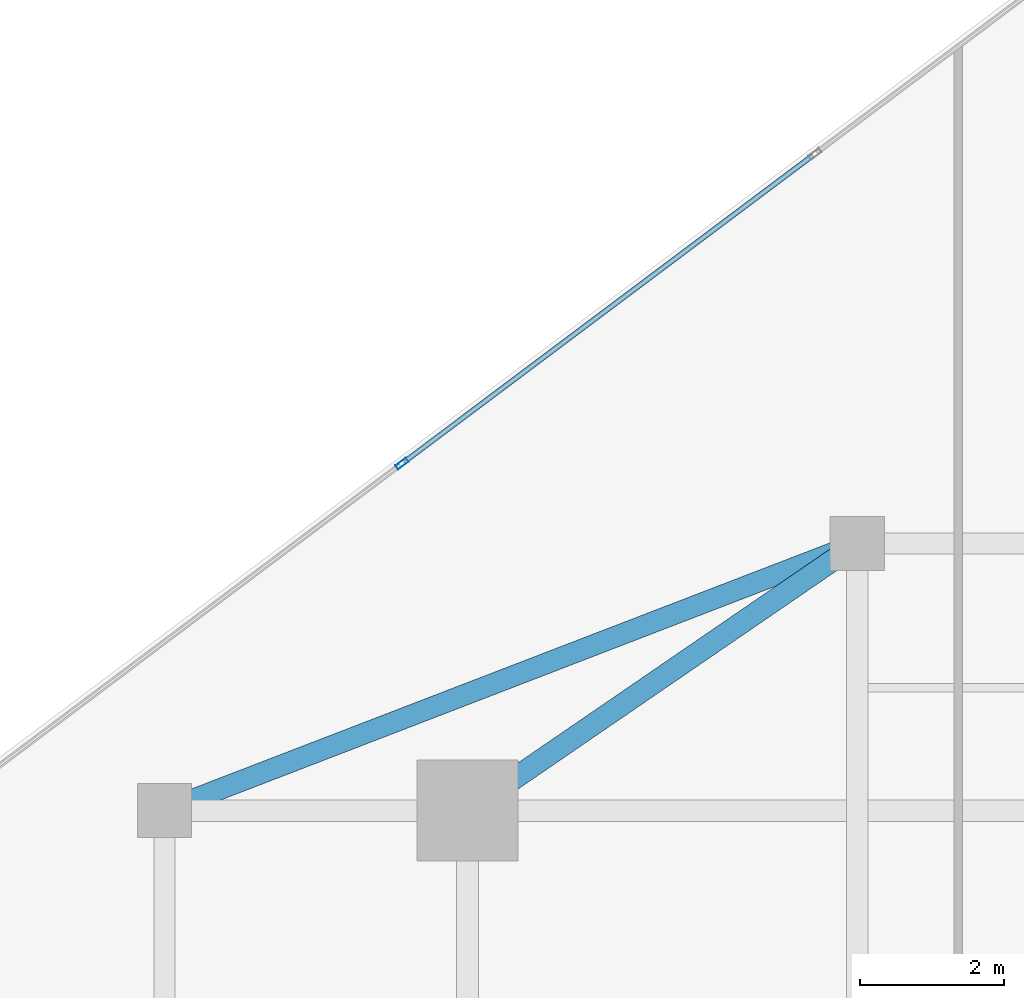
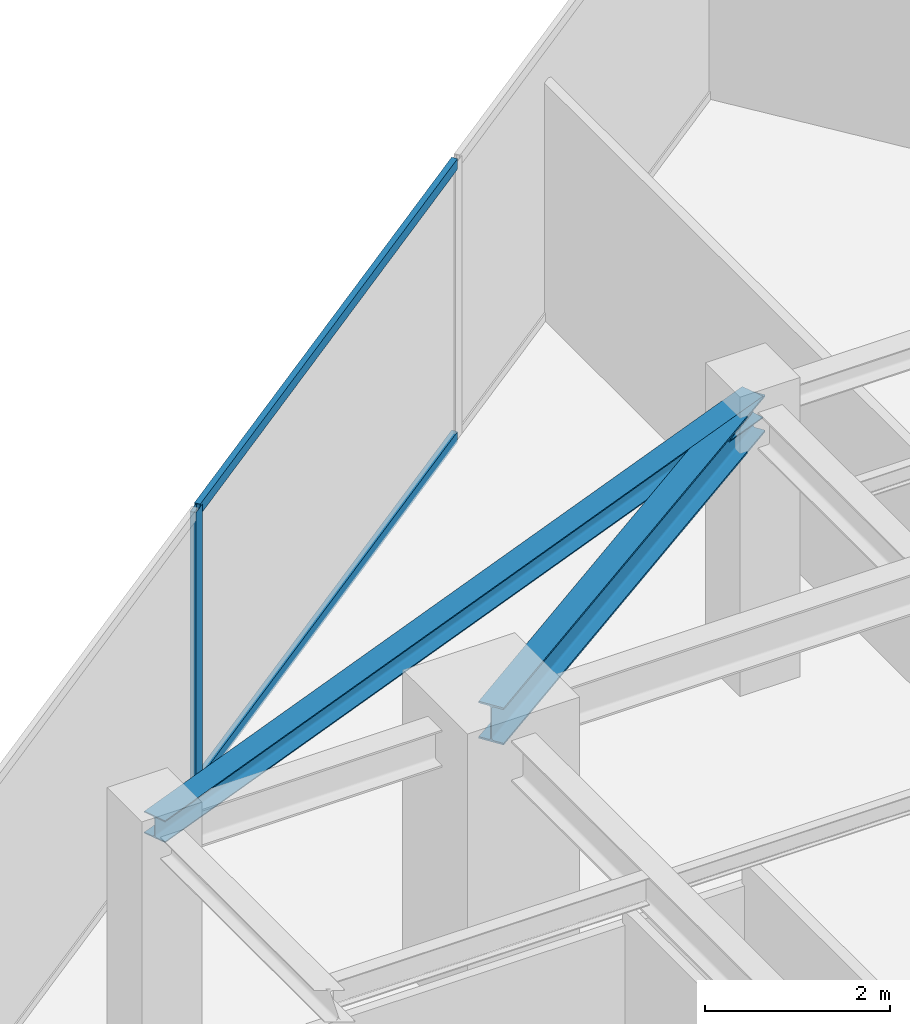
# One storey, part 12 of 21: 3 members, 2 beams, 1 element without a shape of its own.
"""IFC4 building model written with IfcOpenShell, lengths in metres."""

import ifcopenshell
import ifcopenshell.guid

model = None  # the IFC model being written
_history = None  # IfcOwnerHistory: only IFC2X3 demands one
_inside = {}  # id of a spatial element -> (the spatial element, [elements in it])
_under = {}  # id of a project, library or spatial element -> (it, [spatial elements below it])
_declared = {}  # id of a project -> (the project, [libraries it declares])
_typed = {}  # id of a type object -> (the type object, [elements of that type])
_made_of = {}  # id of a material, layer set ... -> (it, [elements and type objects made of it])


def new_model(schema):
    """Start an empty IFC model of exactly this schema.

    Asked for "IFC4X3", IfcOpenShell would pick the latest addendum, in which some entities
    have other attributes; the version numbers below select the first issue.
    IFC2X3 requires an IfcOwnerHistory on every rooted entity: one is made here for all.
    """
    global model, _history
    if schema == "IFC4X3":
        model = ifcopenshell.file(schema_version=(4, 3, 0, 0))
    else:
        model = ifcopenshell.file(schema=schema)
    _inside.clear()
    _under.clear()
    _declared.clear()
    _typed.clear()
    _made_of.clear()
    _history = None
    if model.schema == "IFC2X3":
        org = make("IfcOrganization", Name="unknown")
        user = make(
            "IfcPersonAndOrganization",
            ThePerson=make("IfcPerson", FamilyName="unknown"),
            TheOrganization=org,
        )
        app = make(
            "IfcApplication",
            ApplicationDeveloper=org,
            Version="unknown",
            ApplicationFullName="unknown",
            ApplicationIdentifier="unknown",
        )
        _history = make(
            "IfcOwnerHistory",
            OwningUser=user,
            OwningApplication=app,
            ChangeAction="ADDED",
            CreationDate=0,
        )
    return model


def make(cls, **values):
    """One entity of the class cls with the attributes given. An attribute that is None is left unset."""
    return model.create_entity(
        cls, **{name: value for name, value in values.items() if value is not None}
    )


def rooted(cls, **values):
    """An entity with a GlobalId (a new one), such as an element, a storey or a relation."""
    return make(cls, GlobalId=ifcopenshell.guid.new(), OwnerHistory=_history, **values)


def si_unit(unit_type, name, prefix=None):
    """IfcSIUnit, for example si_unit("LENGTHUNIT", "METRE", prefix="MILLI")."""
    return make("IfcSIUnit", UnitType=unit_type, Prefix=prefix, Name=name)


def assignment(units):
    """IfcUnitAssignment: the units of a project."""
    return None if units is None else make("IfcUnitAssignment", Units=units)


def point(xyz):
    """IfcCartesianPoint."""
    return None if xyz is None else make("IfcCartesianPoint", Coordinates=xyz)


def direction(xyz):
    """IfcDirection."""
    return None if xyz is None else make("IfcDirection", DirectionRatios=xyz)


def frame(location, z_axis=None, x_axis=None):
    """IfcAxis2Placement3D, a coordinate frame: its origin and axes. An axis left out is left unset."""
    return make(
        "IfcAxis2Placement3D",
        Location=point(location),
        Axis=direction(z_axis),
        RefDirection=direction(x_axis),
    )


def frame_2d(location, x_axis=None):
    """IfcAxis2Placement2D, a coordinate frame in the plane: its origin and x axis."""
    return make(
        "IfcAxis2Placement2D", Location=point(location), RefDirection=direction(x_axis)
    )


def origin():
    """The frame at (0, 0, 0) with its axes left unset."""
    return frame((0.0, 0.0, 0.0))


def origin_2d():
    """The frame at (0, 0) in the plane with its x axis left unset."""
    return frame_2d((0.0, 0.0))


def place(relative_to, where):
    """IfcLocalPlacement: puts the frame where relative to a parent placement (None: the world)."""
    return make(
        "IfcLocalPlacement", PlacementRelTo=relative_to, RelativePlacement=where
    )


def context(
    kind, dimensions, precision=None, world=None, true_north=None, identifier=None
):
    """IfcGeometricRepresentationContext, for example the 3D "Model" context."""
    return make(
        "IfcGeometricRepresentationContext",
        ContextIdentifier=identifier,
        ContextType=kind,
        CoordinateSpaceDimension=dimensions,
        Precision=precision,
        WorldCoordinateSystem=world,
        TrueNorth=true_north,
    )


def subcontext(parent, identifier, kind, view, scale=None):
    """IfcGeometricRepresentationSubContext, for example "Body" below "Model"."""
    return make(
        "IfcGeometricRepresentationSubContext",
        ContextIdentifier=identifier,
        ContextType=kind,
        ParentContext=parent,
        TargetScale=scale,
        TargetView=view,
    )


def project(units=None, contexts=None):
    """IfcProject with its units and contexts."""
    return rooted(
        "IfcProject",
        Name="project",
        RepresentationContexts=contexts,
        UnitsInContext=assignment(units),
    )


def spatial(cls, under=None, at=None, **own):
    """A site, building, storey or space (cls), placed at a placement, below another one or the project."""
    s = rooted(cls, ObjectPlacement=at, **own)
    if under is not None:
        _under.setdefault(under.id(), (under, []))[1].append(s)
    return s


def profile(cls, at=None, kind="AREA", **sizes):
    """A parametric profile (cls). Its sizes go by their IFC names, for example OverallWidth=200.0."""
    return make(cls, ProfileType=kind, Position=at, **sizes)


def hollow_rectangle(**sizes):
    """IfcRectangleHollowProfileDef."""
    return profile("IfcRectangleHollowProfileDef", **sizes)


def i_section(**sizes):
    """IfcIShapeProfileDef."""
    return profile("IfcIShapeProfileDef", **sizes)


def extrude(swept, where, along, depth):
    """IfcExtrudedAreaSolid: the profile swept, set in the frame where, extruded along a direction by depth."""
    return make(
        "IfcExtrudedAreaSolid",
        SweptArea=swept,
        Position=where,
        ExtrudedDirection=direction(along),
        Depth=depth,
    )


def shape(context_of_items, identifier, shape_type, items):
    """IfcShapeRepresentation: the items that make up one representation, for example the "Body"."""
    return make(
        "IfcShapeRepresentation",
        ContextOfItems=context_of_items,
        RepresentationIdentifier=identifier,
        RepresentationType=shape_type,
        Items=items,
    )


def source(mapping_origin, context_of_items, identifier, shape_type, items):
    """IfcRepresentationMap: a shape defined once, which mapped items show again and again."""
    return make(
        "IfcRepresentationMap",
        MappingOrigin=mapping_origin,
        MappedRepresentation=shape(context_of_items, identifier, shape_type, items),
    )


def transform(
    local_origin,
    x_axis=None,
    y_axis=None,
    z_axis=None,
    scale=None,
    scale2=None,
    scale3=None,
    uniform=True,
):
    """IfcCartesianTransformationOperator3D, or its non-uniform kind. x_axis, y_axis, z_axis: its Axis1, 2, 3."""
    if uniform:
        return make(
            "IfcCartesianTransformationOperator3D",
            Axis1=direction(x_axis),
            Axis2=direction(y_axis),
            LocalOrigin=point(local_origin),
            Scale=scale,
            Axis3=direction(z_axis),
        )
    return make(
        "IfcCartesianTransformationOperator3DnonUniform",
        Axis1=direction(x_axis),
        Axis2=direction(y_axis),
        LocalOrigin=point(local_origin),
        Scale=scale,
        Axis3=direction(z_axis),
        Scale2=scale2,
        Scale3=scale3,
    )


def mapped(mapping_source, mapping_target):
    """IfcMappedItem: shows the shape of a source again, moved by a transform."""
    return make(
        "IfcMappedItem", MappingSource=mapping_source, MappingTarget=mapping_target
    )


def material(Name=None, Category=None):
    """IfcMaterial."""
    return make("IfcMaterial", Name=Name, Category=Category)


def material_profile(
    of_material, cross_section, Name=None, Category=None, Priority=None
):
    """IfcMaterialProfile: a cross section and its material."""
    return make(
        "IfcMaterialProfile",
        Name=Name,
        Material=of_material,
        Profile=cross_section,
        Priority=Priority,
        Category=Category,
    )


def profile_set(profiles, Name=None, composite=None):
    """IfcMaterialProfileSet."""
    return make(
        "IfcMaterialProfileSet",
        Name=Name,
        MaterialProfiles=profiles,
        CompositeProfile=composite,
    )


def made_of(thing, what):
    """Note that an element or type object is made of a material, layer set ...; save() writes the relation."""
    if what is not None:
        _made_of.setdefault(what.id(), (what, []))[1].append(thing)
    return thing


def type_object(cls, material=None, **own):
    """A type object (cls), such as IfcWallType, which elements share."""
    return made_of(rooted(cls, **own), material)


def type_shapes(of_type, sources):
    """Give a type object the sources (RepresentationMaps) that its elements show as mapped items."""
    of_type.RepresentationMaps = sources


def element(
    cls,
    number,
    at=None,
    inside=None,
    cuts=None,
    type_object=None,
    material=None,
    context=None,
    identifier="Body",
    shape_type=None,
    held_by="IfcProductDefinitionShape",
    body=None,
    shapes=None,
    **own,
):
    """One element of the class cls, such as IfcWall. Its Tag is "e" and its number.

    at: its placement. inside: the storey or other place that contains it. cuts: it is an
    opening in that element (IfcRelVoidsElement). A single representation is given by context,
    identifier, shape_type and body (its items); several are given by shapes. held_by: the class
    of the entity that holds the representations. save() writes the other relations.
    """
    e = rooted(cls, Tag="e%d" % number, ObjectPlacement=at, **own)
    if body is not None:
        shapes = [shape(context, identifier, shape_type, body)]
    if shapes is not None:
        e.Representation = make(held_by, Representations=shapes)
    if inside is not None:
        _inside.setdefault(inside.id(), (inside, []))[1].append(e)
    if cuts is not None:
        rooted(
            "IfcRelVoidsElement", RelatingBuildingElement=cuts, RelatedOpeningElement=e
        )
    if type_object is not None:
        _typed.setdefault(type_object.id(), (type_object, []))[1].append(e)
    return made_of(e, material)


def aggregate(whole, parts):
    """IfcRelAggregates: a whole, such as a stair, and the parts it consists of."""
    return rooted("IfcRelAggregates", RelatingObject=whole, RelatedObjects=parts)


def save(model, path):
    """Write the relations noted so far, then the file.

    IfcRelAggregates (storeys below a building ...), IfcRelContainedInSpatialStructure (elements
    in a storey), IfcRelDefinesByType, IfcRelAssociatesMaterial and IfcRelDeclares: one each for
    every whole, place, type object, material and project.
    """
    for whole, parts in _under.values():
        aggregate(whole, parts)
    for where, things in _inside.values():
        rooted(
            "IfcRelContainedInSpatialStructure",
            RelatedElements=things,
            RelatingStructure=where,
        )
    for kind, things in _typed.values():
        rooted("IfcRelDefinesByType", RelatedObjects=things, RelatingType=kind)
    for what, things in _made_of.values():
        rooted("IfcRelAssociatesMaterial", RelatedObjects=things, RelatingMaterial=what)
    for by, libraries in _declared.values():
        rooted("IfcRelDeclares", RelatingContext=by, RelatedDefinitions=libraries)
    model.write(path)


model = new_model("IFC4")

# Units and contexts
model_context = context("Model", 3, precision=1e-05, world=origin(), true_north=direction((0.0, 1.0)))
body_context = subcontext(model_context, "Body", "Model", "MODEL_VIEW")
ifc_project = project(units=[si_unit("LENGTHUNIT", "METRE"), si_unit("AREAUNIT", "SQUARE_METRE"), si_unit("VOLUMEUNIT", "CUBIC_METRE"), si_unit("PLANEANGLEUNIT", "RADIAN"), si_unit("MASSUNIT", "GRAM", prefix="KILO")], contexts=[model_context])

# Site, building, storey
site_placement = place(None, origin())
site = spatial("IfcSite", under=ifc_project, at=site_placement, CompositionType="ELEMENT")
building_placement = place(site_placement, origin())
building = spatial("IfcBuilding", under=site, at=building_placement, Name="Krantzveldt Concourse Tower", CompositionType="ELEMENT")
storey_placement = place(building_placement, frame((0.0, 0.0, 267.39990234375)))
storey = spatial("IfcBuildingStorey", under=building, at=storey_placement, Name="L65", CompositionType="ELEMENT", Elevation=267.39990234375)

# Beams
ifc_material_1 = material(Name="Steel S355JR", Category="steel")
ifc_material_profile_1 = material_profile(ifc_material_1, i_section(OverallWidth=0.300048828125, OverallDepth=0.489990234375, WebThickness=0.011962890625, FlangeThickness=0.02294921875, FilletRadius=0.027099609375, at=origin_2d()), Name="Steel S355JR", Category="steel")
ifc_profile_set_1 = profile_set([ifc_material_profile_1], Name="Steel S355JR - HEA 500")
beam_type_1 = type_object("IfcBeamType", Name="BM-B-HEA500", PredefinedType="BEAM", material=ifc_profile_set_1)
shared_shape_1 = source(origin(), body_context, "Body", "SweptSolid", [
    extrude(i_section(OverallWidth=0.300048828125, OverallDepth=0.489990234375, WebThickness=0.011962890625, FlangeThickness=0.02294921875, FilletRadius=0.027099609375, at=origin_2d()), origin(), (0.0, 0.0, 1.0), 6.546142578125),
])
type_shapes(beam_type_1, [shared_shape_1])
beam_1_placement = place(storey_placement, frame((25.199951171875, 37.5, 3.425048828125), z_axis=(0.824942999484, 0.565215930068, 0.0), x_axis=(-0.565215930068, 0.824942999484, 0.0)))
element("IfcBeam", 1, at=beam_1_placement, inside=storey, type_object=beam_type_1, Name="L65 Tower Girder BR-RL4", PredefinedType="BEAM", context=body_context, shape_type="MappedRepresentation", body=[
    mapped(shared_shape_1, transform((0.0, 0.0, 0.0), x_axis=(1.0, 0.0, 0.0), y_axis=(0.0, 1.0, 0.0), z_axis=(0.0, 0.0, 1.0), scale=1.0)),
])
ifc_material_profile_2 = material_profile(ifc_material_1, i_section(OverallWidth=0.2900390625, OverallDepth=0.2900390625, WebThickness=0.008544921875, FlangeThickness=0.013916015625, FilletRadius=0.027099609375, at=origin_2d()), Name="Steel S355JR", Category="steel")
ifc_profile_set_2 = profile_set([ifc_material_profile_2], Name="Steel S355JR - HEA 300")
beam_type_2 = type_object("IfcBeamType", Name="BM-SP-HEA300", PredefinedType="SPANDREL", material=ifc_profile_set_2)
shared_shape_2 = source(origin(), body_context, "Body", "SweptSolid", [
    extrude(i_section(OverallWidth=0.2900390625, OverallDepth=0.2900390625, WebThickness=0.008544921875, FlangeThickness=0.013916015625, FilletRadius=0.027099609375, at=origin_2d()), origin(), (0.0, 0.0, 1.0), 10.288330078125),
])
type_shapes(beam_type_2, [shared_shape_2])
beam_2_placement = place(storey_placement, frame((21.0, 37.5, 3.525146484375), z_axis=(0.933097690408, 0.359622997257, 0.0), x_axis=(-0.359622997257, 0.933097690408, 0.0)))
element("IfcBeam", 2, at=beam_2_placement, inside=storey, type_object=beam_type_2, Name="L65 Tower Girder SP-R03", PredefinedType="SPANDREL", context=body_context, shape_type="MappedRepresentation", body=[
    mapped(shared_shape_2, transform((0.0, 0.0, 0.0), x_axis=(1.0, 0.0, 0.0), y_axis=(0.0, 1.0, 0.0), z_axis=(0.0, 0.0, 1.0), scale=1.0)),
])

# Curtain wall, members
ifc_material_2 = material(Name="Anodised aluminium 6063-T6", Category="aluminium")
curtain_wall_type = type_object("IfcCurtainWallType", Name="CW4", PredefinedType="USERDEFINED", material=ifc_material_2)
curtain_wall_placement = place(storey_placement, origin())
curtain_wall = element("IfcCurtainWall", 3, at=curtain_wall_placement, inside=storey, type_object=curtain_wall_type, Name="CW-L65-F01", ObjectType="UNITISED CURTAIN WALL", PredefinedType="USERDEFINED")
ifc_material_profile_3 = material_profile(ifc_material_2, hollow_rectangle(XDim=0.070068359375, YDim=0.179931640625, WallThickness=0.0048828125, at=origin_2d()), Name="Anodised aluminium 6063-T6", Category="aluminium")
ifc_profile_set_3 = profile_set([ifc_material_profile_3], Name="Anodised aluminium 6063-T6 - ALU-MULL 180x70x5")
member_type_1 = type_object("IfcMemberType", Name="CW-MUL-180", PredefinedType="MULLION", material=ifc_profile_set_3)
shared_shape_3 = source(origin(), body_context, "Body", "SweptSolid", [
    extrude(hollow_rectangle(XDim=0.070068359375, YDim=0.179931640625, WallThickness=0.0048828125, at=origin_2d()), origin(), (0.0, 0.0, 1.0), 3.670166015625),
])
type_shapes(member_type_1, [shared_shape_3])
member_1_placement = place(storey_placement, frame((24.292724609375, 42.306884765625, 0.0), z_axis=(0.0, 0.0, 1.0), x_axis=(0.600071326292, -0.799946500313, 0.0)))
member_1 = element("IfcMember", 4, at=member_1_placement, type_object=member_type_1, Name="CW-Z56 mullion 3", PredefinedType="MULLION", context=body_context, shape_type="MappedRepresentation", body=[
    mapped(shared_shape_3, transform((0.0, 0.0, 0.0), x_axis=(1.0, 0.0, 0.0), y_axis=(0.0, 1.0, 0.0), z_axis=(0.0, 0.0, 1.0), scale=1.0)),
])
ifc_material_profile_4 = material_profile(ifc_material_2, hollow_rectangle(XDim=0.070068359375, YDim=0.139892578125, WallThickness=0.0048828125, at=origin_2d()), Name="Anodised aluminium 6063-T6", Category="aluminium")
ifc_profile_set_4 = profile_set([ifc_material_profile_4], Name="Anodised aluminium 6063-T6 - ALU-TRAN 140x70x5")
member_type_2 = type_object("IfcMemberType", Name="CW-TRN-150", PredefinedType="USERDEFINED", material=ifc_profile_set_4)
shared_shape_4 = source(origin(), body_context, "Body", "SweptSolid", [
    extrude(hollow_rectangle(XDim=0.070068359375, YDim=0.139892578125, WallThickness=0.0048828125, at=origin_2d()), origin(), (0.0, 0.0, 1.0), 7.080078125),
])
type_shapes(member_type_2, [shared_shape_4])
member_2_placement = place(storey_placement, frame((29.984130859375, 46.576416015625, 0.03515625), z_axis=(-0.799942064438, -0.600077239648, 0.0), x_axis=(0.600077239648, -0.799942064438, 0.0)))
member_2 = element("IfcMember", 5, at=member_2_placement, type_object=member_type_2, Name="CW-Z56 transom 2.1", ObjectType="TRANSOM", PredefinedType="USERDEFINED", context=body_context, shape_type="MappedRepresentation", body=[
    mapped(shared_shape_4, transform((0.0, 0.0, 0.0), x_axis=(1.0, 0.0, 0.0), y_axis=(0.0, 1.0, 0.0), z_axis=(0.0, 0.0, 1.0), scale=1.0)),
])
member_3_placement = place(storey_placement, frame((29.984130859375, 46.576416015625, 3.635009765625), z_axis=(-0.799942064438, -0.600077239648, 0.0), x_axis=(0.600077239648, -0.799942064438, 0.0)))
member_3 = element("IfcMember", 6, at=member_3_placement, type_object=member_type_2, Name="CW-Z56 transom 2.2", ObjectType="TRANSOM", PredefinedType="USERDEFINED", context=body_context, shape_type="MappedRepresentation", body=[
    mapped(shared_shape_4, transform((0.0, 0.0, 0.0), x_axis=(1.0, 0.0, 0.0), y_axis=(0.0, 1.0, 0.0), z_axis=(0.0, 0.0, 1.0), scale=1.0)),
])
aggregate(curtain_wall, [member_1, member_2, member_3])

save(model, "model.ifc")
